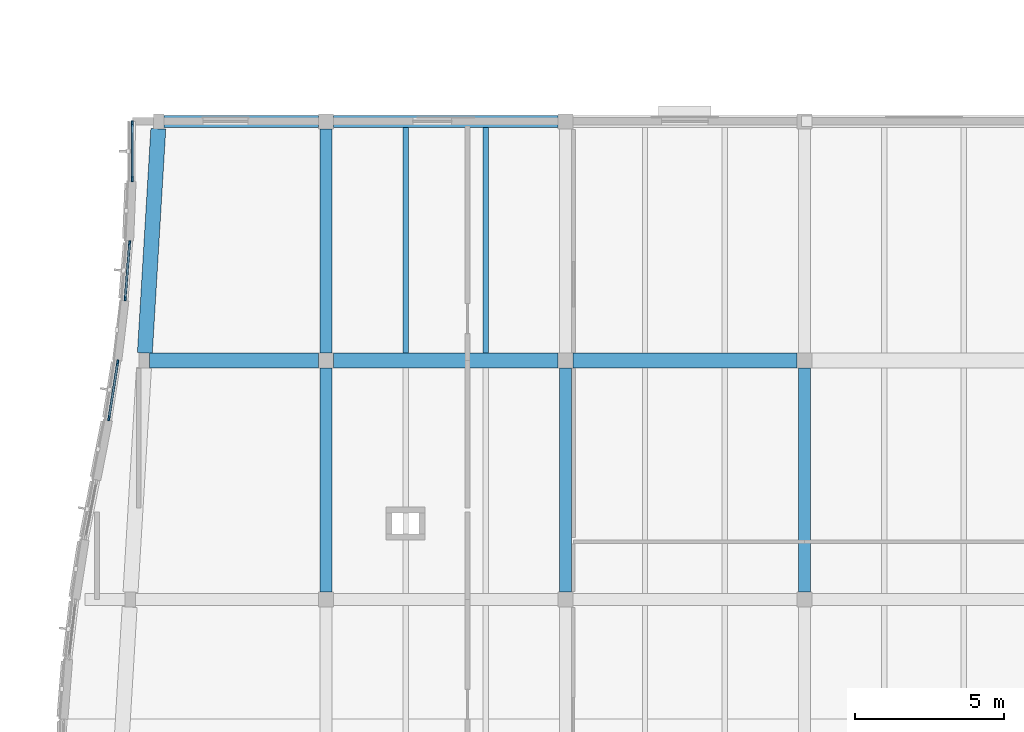
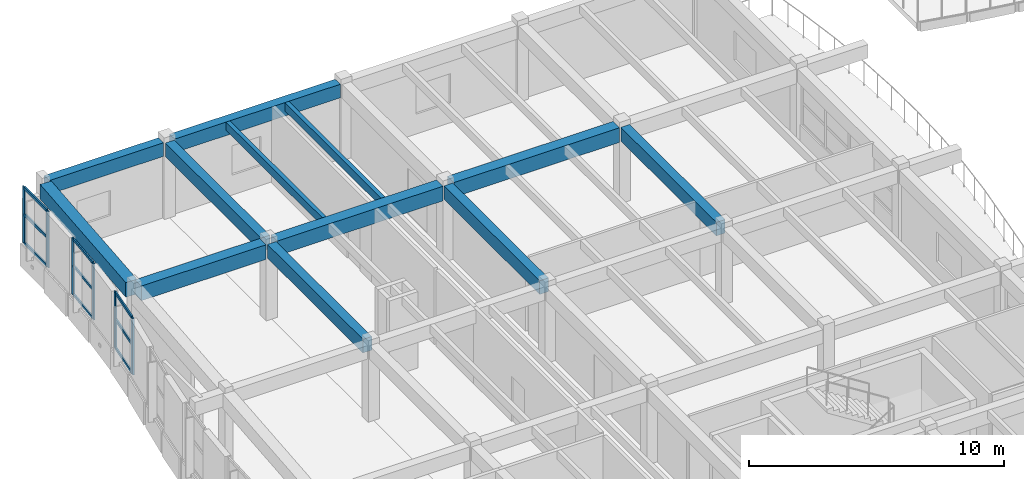
# One storey, part 16 of 89: 15 members, 12 beams, 3 elements without a shape of their own.
"""IFC4 building model written with IfcOpenShell, lengths in metres."""

import ifcopenshell
import ifcopenshell.guid

model = None  # the IFC model being written
_history = None  # IfcOwnerHistory: only IFC2X3 demands one
_inside = {}  # id of a spatial element -> (the spatial element, [elements in it])
_under = {}  # id of a project, library or spatial element -> (it, [spatial elements below it])
_declared = {}  # id of a project -> (the project, [libraries it declares])
_typed = {}  # id of a type object -> (the type object, [elements of that type])
_made_of = {}  # id of a material, layer set ... -> (it, [elements and type objects made of it])


def new_model(schema):
    """Start an empty IFC model of exactly this schema.

    Asked for "IFC4X3", IfcOpenShell would pick the latest addendum, in which some entities
    have other attributes; the version numbers below select the first issue.
    IFC2X3 requires an IfcOwnerHistory on every rooted entity: one is made here for all.
    """
    global model, _history
    if schema == "IFC4X3":
        model = ifcopenshell.file(schema_version=(4, 3, 0, 0))
    else:
        model = ifcopenshell.file(schema=schema)
    _inside.clear()
    _under.clear()
    _declared.clear()
    _typed.clear()
    _made_of.clear()
    _history = None
    if model.schema == "IFC2X3":
        org = make("IfcOrganization", Name="unknown")
        user = make(
            "IfcPersonAndOrganization",
            ThePerson=make("IfcPerson", FamilyName="unknown"),
            TheOrganization=org,
        )
        app = make(
            "IfcApplication",
            ApplicationDeveloper=org,
            Version="unknown",
            ApplicationFullName="unknown",
            ApplicationIdentifier="unknown",
        )
        _history = make(
            "IfcOwnerHistory",
            OwningUser=user,
            OwningApplication=app,
            ChangeAction="ADDED",
            CreationDate=0,
        )
    return model


def make(cls, **values):
    """One entity of the class cls with the attributes given. An attribute that is None is left unset."""
    return model.create_entity(
        cls, **{name: value for name, value in values.items() if value is not None}
    )


def rooted(cls, **values):
    """An entity with a GlobalId (a new one), such as an element, a storey or a relation."""
    return make(cls, GlobalId=ifcopenshell.guid.new(), OwnerHistory=_history, **values)


def si_unit(unit_type, name, prefix=None):
    """IfcSIUnit, for example si_unit("LENGTHUNIT", "METRE", prefix="MILLI")."""
    return make("IfcSIUnit", UnitType=unit_type, Prefix=prefix, Name=name)


def assignment(units):
    """IfcUnitAssignment: the units of a project."""
    return None if units is None else make("IfcUnitAssignment", Units=units)


def point(xyz):
    """IfcCartesianPoint."""
    return None if xyz is None else make("IfcCartesianPoint", Coordinates=xyz)


def direction(xyz):
    """IfcDirection."""
    return None if xyz is None else make("IfcDirection", DirectionRatios=xyz)


def frame(location, z_axis=None, x_axis=None):
    """IfcAxis2Placement3D, a coordinate frame: its origin and axes. An axis left out is left unset."""
    return make(
        "IfcAxis2Placement3D",
        Location=point(location),
        Axis=direction(z_axis),
        RefDirection=direction(x_axis),
    )


def frame_2d(location, x_axis=None):
    """IfcAxis2Placement2D, a coordinate frame in the plane: its origin and x axis."""
    return make(
        "IfcAxis2Placement2D", Location=point(location), RefDirection=direction(x_axis)
    )


def origin():
    """The frame at (0, 0, 0) with its axes left unset."""
    return frame((0.0, 0.0, 0.0))


def origin_2d():
    """The frame at (0, 0) in the plane with its x axis left unset."""
    return frame_2d((0.0, 0.0))


def place(relative_to, where):
    """IfcLocalPlacement: puts the frame where relative to a parent placement (None: the world)."""
    return make(
        "IfcLocalPlacement", PlacementRelTo=relative_to, RelativePlacement=where
    )


def context(
    kind, dimensions, precision=None, world=None, true_north=None, identifier=None
):
    """IfcGeometricRepresentationContext, for example the 3D "Model" context."""
    return make(
        "IfcGeometricRepresentationContext",
        ContextIdentifier=identifier,
        ContextType=kind,
        CoordinateSpaceDimension=dimensions,
        Precision=precision,
        WorldCoordinateSystem=world,
        TrueNorth=true_north,
    )


def subcontext(parent, identifier, kind, view, scale=None):
    """IfcGeometricRepresentationSubContext, for example "Body" below "Model"."""
    return make(
        "IfcGeometricRepresentationSubContext",
        ContextIdentifier=identifier,
        ContextType=kind,
        ParentContext=parent,
        TargetScale=scale,
        TargetView=view,
    )


def project(units=None, contexts=None):
    """IfcProject with its units and contexts."""
    return rooted(
        "IfcProject",
        Name="project",
        RepresentationContexts=contexts,
        UnitsInContext=assignment(units),
    )


def spatial(cls, under=None, at=None, **own):
    """A site, building, storey or space (cls), placed at a placement, below another one or the project."""
    s = rooted(cls, ObjectPlacement=at, **own)
    if under is not None:
        _under.setdefault(under.id(), (under, []))[1].append(s)
    return s


def profile(cls, at=None, kind="AREA", **sizes):
    """A parametric profile (cls). Its sizes go by their IFC names, for example OverallWidth=200.0."""
    return make(cls, ProfileType=kind, Position=at, **sizes)


def rectangle(**sizes):
    """IfcRectangleProfileDef."""
    return profile("IfcRectangleProfileDef", **sizes)


def extrude(swept, where, along, depth):
    """IfcExtrudedAreaSolid: the profile swept, set in the frame where, extruded along a direction by depth."""
    return make(
        "IfcExtrudedAreaSolid",
        SweptArea=swept,
        Position=where,
        ExtrudedDirection=direction(along),
        Depth=depth,
    )


def shape(context_of_items, identifier, shape_type, items):
    """IfcShapeRepresentation: the items that make up one representation, for example the "Body"."""
    return make(
        "IfcShapeRepresentation",
        ContextOfItems=context_of_items,
        RepresentationIdentifier=identifier,
        RepresentationType=shape_type,
        Items=items,
    )


def material(Name=None, Category=None):
    """IfcMaterial."""
    return make("IfcMaterial", Name=Name, Category=Category)


def layer(
    of_material, thickness, ventilated=None, Name=None, Category=None, Priority=None
):
    """IfcMaterialLayer: one layer of a wall or slab, of a material (None: an air gap)."""
    return make(
        "IfcMaterialLayer",
        Material=of_material,
        LayerThickness=thickness,
        IsVentilated=ventilated,
        Name=Name,
        Category=Category,
        Priority=Priority,
    )


def layer_set(layers, Name=None):
    """IfcMaterialLayerSet."""
    return make("IfcMaterialLayerSet", MaterialLayers=layers, LayerSetName=Name)


def material_profile(
    of_material, cross_section, Name=None, Category=None, Priority=None
):
    """IfcMaterialProfile: a cross section and its material."""
    return make(
        "IfcMaterialProfile",
        Name=Name,
        Material=of_material,
        Profile=cross_section,
        Priority=Priority,
        Category=Category,
    )


def profile_set(profiles, Name=None, composite=None):
    """IfcMaterialProfileSet."""
    return make(
        "IfcMaterialProfileSet",
        Name=Name,
        MaterialProfiles=profiles,
        CompositeProfile=composite,
    )


def made_of(thing, what):
    """Note that an element or type object is made of a material, layer set ...; save() writes the relation."""
    if what is not None:
        _made_of.setdefault(what.id(), (what, []))[1].append(thing)
    return thing


def type_object(cls, material=None, **own):
    """A type object (cls), such as IfcWallType, which elements share."""
    return made_of(rooted(cls, **own), material)


def element(
    cls,
    number,
    at=None,
    inside=None,
    cuts=None,
    type_object=None,
    material=None,
    context=None,
    identifier="Body",
    shape_type=None,
    held_by="IfcProductDefinitionShape",
    body=None,
    shapes=None,
    **own,
):
    """One element of the class cls, such as IfcWall. Its Tag is "e" and its number.

    at: its placement. inside: the storey or other place that contains it. cuts: it is an
    opening in that element (IfcRelVoidsElement). A single representation is given by context,
    identifier, shape_type and body (its items); several are given by shapes. held_by: the class
    of the entity that holds the representations. save() writes the other relations.
    """
    e = rooted(cls, Tag="e%d" % number, ObjectPlacement=at, **own)
    if body is not None:
        shapes = [shape(context, identifier, shape_type, body)]
    if shapes is not None:
        e.Representation = make(held_by, Representations=shapes)
    if inside is not None:
        _inside.setdefault(inside.id(), (inside, []))[1].append(e)
    if cuts is not None:
        rooted(
            "IfcRelVoidsElement", RelatingBuildingElement=cuts, RelatedOpeningElement=e
        )
    if type_object is not None:
        _typed.setdefault(type_object.id(), (type_object, []))[1].append(e)
    return made_of(e, material)


def aggregate(whole, parts):
    """IfcRelAggregates: a whole, such as a stair, and the parts it consists of."""
    return rooted("IfcRelAggregates", RelatingObject=whole, RelatedObjects=parts)


def save(model, path):
    """Write the relations noted so far, then the file.

    IfcRelAggregates (storeys below a building ...), IfcRelContainedInSpatialStructure (elements
    in a storey), IfcRelDefinesByType, IfcRelAssociatesMaterial and IfcRelDeclares: one each for
    every whole, place, type object, material and project.
    """
    for whole, parts in _under.values():
        aggregate(whole, parts)
    for where, things in _inside.values():
        rooted(
            "IfcRelContainedInSpatialStructure",
            RelatedElements=things,
            RelatingStructure=where,
        )
    for kind, things in _typed.values():
        rooted("IfcRelDefinesByType", RelatedObjects=things, RelatingType=kind)
    for what, things in _made_of.values():
        rooted("IfcRelAssociatesMaterial", RelatedObjects=things, RelatingMaterial=what)
    for by, libraries in _declared.values():
        rooted("IfcRelDeclares", RelatingContext=by, RelatedDefinitions=libraries)
    model.write(path)


model = new_model("IFC4")

# Units and contexts
model_context = context("Model", 3, precision=1e-05, world=origin(), true_north=direction((0.0, 1.0)))
body_context = subcontext(model_context, "Body", "Model", "MODEL_VIEW")
ifc_project = project(units=[si_unit("LENGTHUNIT", "METRE"), si_unit("AREAUNIT", "SQUARE_METRE"), si_unit("VOLUMEUNIT", "CUBIC_METRE"), si_unit("PLANEANGLEUNIT", "RADIAN"), si_unit("MASSUNIT", "GRAM", prefix="KILO")], contexts=[model_context])

# Site, building, storey
site_placement = place(None, origin())
site = spatial("IfcSite", under=ifc_project, at=site_placement, CompositionType="ELEMENT")
building_placement = place(site_placement, origin())
building = spatial("IfcBuilding", under=site, at=building_placement, Name="Tonlespit Floodbar School", CompositionType="ELEMENT")
storey_placement = place(building_placement, frame((0.0, 0.0, 4.5)))
storey = spatial("IfcBuildingStorey", under=building, at=storey_placement, Name="L01", CompositionType="ELEMENT", Elevation=4.5)

# Beams
ifc_material_1 = material(Name="Concrete C40/50", Category="concrete")
ifc_material_profile_1 = material_profile(ifc_material_1, rectangle(XDim=0.39990234375, YDim=0.64990234375, at=origin_2d()), Name="RC 400x650")
ifc_profile_set_1 = profile_set([ifc_material_profile_1], Name="Concrete C40/50")
beam_type_1 = type_object("IfcBeamType", Name="Beam_RC_400x650", PredefinedType="BEAM", material=ifc_profile_set_1)
beam_1_placement = place(storey_placement, frame((6.574951171875, 96.0, 3.324951171875), z_axis=(1.0, 0.0, 0.0), x_axis=(0.0, 1.0, 0.0)))
element("IfcBeam", 1, at=beam_1_placement, inside=storey, type_object=beam_type_1, Name="L01 girder 0612", PredefinedType="BEAM", context=body_context, shape_type="SweptSolid", body=[
    extrude(rectangle(XDim=0.39990234375, YDim=0.64990234375, at=origin_2d()), origin(), (0.0, 0.0, 1.0), 5.175048828125),
])
for number, where, z_axis, x_axis, name in (
    (2, (12.25, 96.0, 3.324951171875), (1.0, 0.0, 0.0), (0.0, 1.0, 0.0), "L01 girder 0613"),
    (3, (12.0, 80.25, 3.324951171875), (0.0, 1.0, 0.0), (-1.0, 0.0, 0.0), "L01 girder 0685"),
    (4, (12.0, 88.25, 3.324951171875), (0.0, 1.0, 0.0), (-1.0, 0.0, 0.0), "L01 girder 0686"),
    (5, (20.0, 80.25, 3.324951171875), (0.0, 1.0, 0.0), (-1.0, 0.0, 0.0), "L01 girder 0698"),
    (6, (28.0, 80.25, 3.324951171875), (0.0, 1.0, 0.0), (-1.0, 0.0, 0.0), "L01 girder 0710"),
):
    element("IfcBeam", number, at=place(storey_placement, frame(where, z_axis=z_axis, x_axis=x_axis)), inside=storey, type_object=beam_type_1, Name=name, PredefinedType="BEAM", context=body_context, shape_type="SweptSolid", body=[
        extrude(rectangle(XDim=0.39990234375, YDim=0.64990234375, at=origin_2d()), origin(), (0.0, 0.0, 1.0), 7.5),
    ])

# Curtain wall, members
ifc_material_2 = material(Name="Anodised Aluminium", Category="aluminium")
ifc_layer_1 = layer(ifc_material_2, 0.159912109375)
ifc_layer_set_1 = layer_set([ifc_layer_1], Name="Anodised Aluminium")
curtain_wall_type_1 = type_object("IfcCurtainWallType", Name="CurtainWall_1950x2700", PredefinedType="NOTDEFINED", material=ifc_layer_set_1)
curtain_wall_1_placement = place(storey_placement, origin())
curtain_wall_1 = element("IfcCurtainWall", 7, at=curtain_wall_1_placement, inside=storey, type_object=curtain_wall_type_1, Name="L01 unitised curtain wall 0280", PredefinedType="NOTDEFINED")
ifc_material_profile_2 = material_profile(ifc_material_2, rectangle(XDim=0.06494140625, YDim=0.14990234375, at=origin_2d()), Name="ALU M65x150")
ifc_profile_set_2 = profile_set([ifc_material_profile_2], Name="Anodised Aluminium")
member_type_1 = type_object("IfcMemberType", Name="CW_Mullion_65x150", PredefinedType="MULLION", material=ifc_profile_set_2)
member_1_placement = place(storey_placement, frame((5.2763671875, 90.072265625, 0.949951171875), z_axis=(0.0, 0.0, 1.0), x_axis=(-0.996877534245, 0.078963166836, 0.0)))
member_1 = element("IfcMember", 8, at=member_1_placement, type_object=member_type_1, Name="CW-04 mullion 1", PredefinedType="MULLION", context=body_context, shape_type="SweptSolid", body=[
    extrude(rectangle(XDim=0.06494140625, YDim=0.14990234375, at=origin_2d()), origin(), (0.0, 0.0, 1.0), 2.699951171875),
])
member_2_placement = place(storey_placement, frame((5.42333984375, 91.927734375, 0.949951171875), z_axis=(0.0, 0.0, 1.0), x_axis=(-0.996877534245, 0.078963166836, 0.0)))
member_2 = element("IfcMember", 9, at=member_2_placement, type_object=member_type_1, Name="CW-04 mullion 2", PredefinedType="MULLION", context=body_context, shape_type="SweptSolid", body=[
    extrude(rectangle(XDim=0.06494140625, YDim=0.14990234375, at=origin_2d()), origin(), (0.0, 0.0, 1.0), 2.699951171875),
])

curtain_wall_2_placement = place(storey_placement, origin())
curtain_wall_2 = element("IfcCurtainWall", 10, at=curtain_wall_2_placement, inside=storey, type_object=curtain_wall_type_1, Name="L01 unitised curtain wall 0279", PredefinedType="NOTDEFINED")
ifc_material_profile_3 = material_profile(ifc_material_2, rectangle(XDim=0.06494140625, YDim=0.179931640625, at=origin_2d()), Name="ALU M65x180")
ifc_profile_set_3 = profile_set([ifc_material_profile_3], Name="Anodised Aluminium")
member_type_2 = type_object("IfcMemberType", Name="CW_Mullion_65x180", PredefinedType="MULLION", material=ifc_profile_set_3)
member_3_placement = place(storey_placement, frame((4.73291015625, 86.071533203125, 0.949951171875), z_axis=(0.0, 0.0, 1.0), x_axis=(-0.987961482869, 0.154700059367, 0.0)))
member_3 = element("IfcMember", 11, at=member_3_placement, type_object=member_type_2, Name="CW-04 mullion 1", PredefinedType="MULLION", context=body_context, shape_type="SweptSolid", body=[
    extrude(rectangle(XDim=0.06494140625, YDim=0.179931640625, at=origin_2d()), origin(), (0.0, 0.0, 1.0), 2.699951171875),
])
member_4_placement = place(storey_placement, frame((5.023681640625, 87.928466796875, 0.949951171875), z_axis=(0.0, 0.0, 1.0), x_axis=(-0.987961482869, 0.154700059367, 0.0)))
member_4 = element("IfcMember", 12, at=member_4_placement, type_object=member_type_2, Name="CW-04 mullion 2", PredefinedType="MULLION", context=body_context, shape_type="SweptSolid", body=[
    extrude(rectangle(XDim=0.06494140625, YDim=0.179931640625, at=origin_2d()), origin(), (0.0, 0.0, 1.0), 2.699951171875),
])

ifc_layer_2 = layer(ifc_material_2, 0.159912109375)
ifc_layer_set_2 = layer_set([ifc_layer_2], Name="Anodised Aluminium")
curtain_wall_type_2 = type_object("IfcCurtainWallType", Name="CurtainWall_1900x2700", PredefinedType="NOTDEFINED", material=ifc_layer_set_2)
curtain_wall_3_placement = place(storey_placement, origin())
curtain_wall_3 = element("IfcCurtainWall", 13, at=curtain_wall_3_placement, inside=storey, type_object=curtain_wall_type_2, Name="L01 unitised curtain wall 0281", PredefinedType="NOTDEFINED")
member_5_placement = place(storey_placement, frame((5.5107421875, 94.072509765625, 0.949951171875), z_axis=(0.0, 0.0, 1.0), x_axis=(-0.99999760743, 0.00218749477, 0.0)))
member_5 = element("IfcMember", 14, at=member_5_placement, type_object=member_type_2, Name="CW-05 mullion 1", PredefinedType="MULLION", context=body_context, shape_type="SweptSolid", body=[
    extrude(rectangle(XDim=0.06494140625, YDim=0.179931640625, at=origin_2d()), origin(), (0.0, 0.0, 1.0), 2.699951171875),
])
member_6_placement = place(storey_placement, frame((5.514892578125, 95.927490234375, 0.949951171875), z_axis=(0.0, 0.0, 1.0), x_axis=(-0.99999760743, 0.00218749477, 0.0)))
member_6 = element("IfcMember", 15, at=member_6_placement, type_object=member_type_2, Name="CW-05 mullion 2", PredefinedType="MULLION", context=body_context, shape_type="SweptSolid", body=[
    extrude(rectangle(XDim=0.06494140625, YDim=0.179931640625, at=origin_2d()), origin(), (0.0, 0.0, 1.0), 2.699951171875),
])

# Member
ifc_material_profile_4 = material_profile(ifc_material_2, rectangle(XDim=0.06494140625, YDim=0.1201171875, at=origin_2d()), Name="ALU T65x120")
ifc_profile_set_4 = profile_set([ifc_material_profile_4], Name="Anodised Aluminium")
member_type_3 = type_object("IfcMemberType", Name="CW_Transom_65x120", PredefinedType="USERDEFINED", material=ifc_profile_set_4)
member_7_placement = place(storey_placement, frame((5.279052734375, 90.104736328125, 0.982421875), z_axis=(0.0788375696, 0.996887474904, 0.0), x_axis=(-0.996887474904, 0.0788375696, 0.0)))
member_7 = element("IfcMember", 16, at=member_7_placement, type_object=member_type_3, Name="CW-04 transom 1.1", ObjectType="TRANSOM", PredefinedType="USERDEFINED", context=body_context, shape_type="SweptSolid", body=[
    extrude(rectangle(XDim=0.06494140625, YDim=0.1201171875, at=origin_2d()), origin(), (0.0, 0.0, 1.0), 1.796142578125),
])

member_8_placement = place(storey_placement, frame((5.279052734375, 90.104736328125, 2.35400390625), z_axis=(0.0788375696, 0.996887474904, 0.0), x_axis=(-0.996887474904, 0.0788375696, 0.0)))
member_8 = element("IfcMember", 17, at=member_8_placement, type_object=member_type_3, Name="CW-04 transom 1.2", ObjectType="TRANSOM", PredefinedType="USERDEFINED", context=body_context, shape_type="SweptSolid", body=[
    extrude(rectangle(XDim=0.06494140625, YDim=0.1201171875, at=origin_2d()), origin(), (0.0, 0.0, 1.0), 1.796142578125),
])

member_9_placement = place(storey_placement, frame((5.279052734375, 90.104736328125, 3.617431640625), z_axis=(0.0788375696, 0.996887474904, 0.0), x_axis=(-0.996887474904, 0.0788375696, 0.0)))
member_9 = element("IfcMember", 18, at=member_9_placement, type_object=member_type_3, Name="CW-04 transom 1.3", ObjectType="TRANSOM", PredefinedType="USERDEFINED", context=body_context, shape_type="SweptSolid", body=[
    extrude(rectangle(XDim=0.06494140625, YDim=0.1201171875, at=origin_2d()), origin(), (0.0, 0.0, 1.0), 1.796142578125),
])

aggregate(curtain_wall_1, [member_1, member_2, member_7, member_8, member_9])

ifc_material_profile_5 = material_profile(ifc_material_2, rectangle(XDim=0.06494140625, YDim=0.139892578125, at=origin_2d()), Name="ALU T65x140")
ifc_profile_set_5 = profile_set([ifc_material_profile_5], Name="Anodised Aluminium")
member_type_4 = type_object("IfcMemberType", Name="CW_Transom_65x140", PredefinedType="USERDEFINED", material=ifc_profile_set_5)
member_10_placement = place(storey_placement, frame((4.738037109375, 86.103759765625, 0.982421875), z_axis=(0.154746305682, 0.987954240275, 0.0), x_axis=(-0.987954240275, 0.154746305682, 0.0)))
member_10 = element("IfcMember", 19, at=member_10_placement, type_object=member_type_4, Name="CW-04 transom 1.1", ObjectType="TRANSOM", PredefinedType="USERDEFINED", context=body_context, shape_type="SweptSolid", body=[
    extrude(rectangle(XDim=0.06494140625, YDim=0.139892578125, at=origin_2d()), origin(), (0.0, 0.0, 1.0), 1.814453125),
])

member_11_placement = place(storey_placement, frame((4.738037109375, 86.103759765625, 2.35400390625), z_axis=(0.154746305682, 0.987954240275, 0.0), x_axis=(-0.987954240275, 0.154746305682, 0.0)))
member_11 = element("IfcMember", 20, at=member_11_placement, type_object=member_type_4, Name="CW-04 transom 1.2", ObjectType="TRANSOM", PredefinedType="USERDEFINED", context=body_context, shape_type="SweptSolid", body=[
    extrude(rectangle(XDim=0.06494140625, YDim=0.139892578125, at=origin_2d()), origin(), (0.0, 0.0, 1.0), 1.814453125),
])

member_12_placement = place(storey_placement, frame((4.738037109375, 86.103759765625, 3.617431640625), z_axis=(0.154746305682, 0.987954240275, 0.0), x_axis=(-0.987954240275, 0.154746305682, 0.0)))
member_12 = element("IfcMember", 21, at=member_12_placement, type_object=member_type_4, Name="CW-04 transom 1.3", ObjectType="TRANSOM", PredefinedType="USERDEFINED", context=body_context, shape_type="SweptSolid", body=[
    extrude(rectangle(XDim=0.06494140625, YDim=0.139892578125, at=origin_2d()), origin(), (0.0, 0.0, 1.0), 1.814453125),
])

aggregate(curtain_wall_2, [member_3, member_4, member_10, member_11, member_12])

member_13_placement = place(storey_placement, frame((5.5107421875, 94.10498046875, 0.982421875), z_axis=(0.002182209752, 0.999997618977, 0.0), x_axis=(-0.999997618977, 0.002182209752, 0.0)))
member_13 = element("IfcMember", 22, at=member_13_placement, type_object=member_type_4, Name="CW-05 transom 1.1", ObjectType="TRANSOM", PredefinedType="USERDEFINED", context=body_context, shape_type="SweptSolid", body=[
    extrude(rectangle(XDim=0.06494140625, YDim=0.139892578125, at=origin_2d()), origin(), (0.0, 0.0, 1.0), 1.7900390625),
])

member_14_placement = place(storey_placement, frame((5.5107421875, 94.10498046875, 2.35400390625), z_axis=(0.002182209752, 0.999997618977, 0.0), x_axis=(-0.999997618977, 0.002182209752, 0.0)))
member_14 = element("IfcMember", 23, at=member_14_placement, type_object=member_type_4, Name="CW-05 transom 1.2", ObjectType="TRANSOM", PredefinedType="USERDEFINED", context=body_context, shape_type="SweptSolid", body=[
    extrude(rectangle(XDim=0.06494140625, YDim=0.139892578125, at=origin_2d()), origin(), (0.0, 0.0, 1.0), 1.7900390625),
])

member_15_placement = place(storey_placement, frame((5.5107421875, 94.10498046875, 3.617431640625), z_axis=(0.002182209752, 0.999997618977, 0.0), x_axis=(-0.999997618977, 0.002182209752, 0.0)))
member_15 = element("IfcMember", 24, at=member_15_placement, type_object=member_type_4, Name="CW-05 transom 1.3", ObjectType="TRANSOM", PredefinedType="USERDEFINED", context=body_context, shape_type="SweptSolid", body=[
    extrude(rectangle(XDim=0.06494140625, YDim=0.139892578125, at=origin_2d()), origin(), (0.0, 0.0, 1.0), 1.7900390625),
])

aggregate(curtain_wall_3, [member_5, member_6, member_13, member_14, member_15])

# Beams
ifc_material_3 = material(Name="Glulam GL28h", Category="wood")
ifc_material_profile_6 = material_profile(ifc_material_3, rectangle(XDim=0.179931640625, YDim=0.39990234375, at=origin_2d()), Name="GL 180x400")
ifc_profile_set_6 = profile_set([ifc_material_profile_6], Name="Glulam GL28h")
beam_type_2 = type_object("IfcBeamType", Name="Joist_GL_180x400", PredefinedType="JOIST", material=ifc_profile_set_6)
for number, where, z_axis, x_axis, name in (
    (25, (14.666748046875, 88.25, 3.449951171875), (0.0, 1.0, 0.0), (-1.0, 0.0, 0.0), "L01 secondary joist 0857"),
    (26, (17.333251953125, 88.25, 3.449951171875), (0.0, 1.0, 0.0), (-1.0, 0.0, 0.0), "L01 secondary joist 0858"),
):
    element("IfcBeam", number, at=place(storey_placement, frame(where, z_axis=z_axis, x_axis=x_axis)), inside=storey, type_object=beam_type_2, Name=name, PredefinedType="JOIST", context=body_context, shape_type="SweptSolid", body=[
        extrude(rectangle(XDim=0.179931640625, YDim=0.39990234375, at=origin_2d()), origin(), (0.0, 0.0, 1.0), 7.550048828125),
    ])
ifc_material_profile_7 = material_profile(ifc_material_1, rectangle(XDim=0.5, YDim=0.699951171875, at=origin_2d()), Name="RC 500x700")
ifc_profile_set_7 = profile_set([ifc_material_profile_7], Name="Concrete C40/50")
beam_type_3 = type_object("IfcBeamType", Name="Spandrel_RC_500x700", PredefinedType="SPANDREL", material=ifc_profile_set_7)
beam_2_placement = place(storey_placement, frame((6.094970703125, 88.0, 3.300048828125), z_axis=(1.0, 0.0, 0.0), x_axis=(0.0, 1.0, 0.0)))
element("IfcBeam", 27, at=beam_2_placement, inside=storey, type_object=beam_type_3, Name="L01 girder 0604", PredefinedType="SPANDREL", context=body_context, shape_type="SweptSolid", body=[
    extrude(rectangle(XDim=0.5, YDim=0.699951171875, at=origin_2d()), origin(), (0.0, 0.0, 1.0), 5.655029296875),
])
for number, where, z_axis, x_axis, name in (
    (28, (12.25, 88.0, 3.300048828125), (1.0, 0.0, 0.0), (0.0, 1.0, 0.0), "L01 girder 0605"),
    (29, (20.25, 88.0, 3.300048828125), (1.0, 0.0, 0.0), (0.0, 1.0, 0.0), "L01 girder 0606"),
):
    element("IfcBeam", number, at=place(storey_placement, frame(where, z_axis=z_axis, x_axis=x_axis)), inside=storey, type_object=beam_type_3, Name=name, PredefinedType="SPANDREL", context=body_context, shape_type="SweptSolid", body=[
        extrude(rectangle(XDim=0.5, YDim=0.699951171875, at=origin_2d()), origin(), (0.0, 0.0, 1.0), 7.5),
    ])
beam_3_placement = place(storey_placement, frame((5.93505859375, 88.24951171875, 3.300048828125), z_axis=(0.059878046645, 0.998205700009, 0.0), x_axis=(-0.998205700009, 0.059878046645, 0.0)))
element("IfcBeam", 30, at=beam_3_placement, inside=storey, type_object=beam_type_3, Name="L01 splayed edge spandrel 0793", PredefinedType="SPANDREL", context=body_context, shape_type="SweptSolid", body=[
    extrude(rectangle(XDim=0.5, YDim=0.699951171875, at=origin_2d()), origin(), (0.0, 0.0, 1.0), 7.514404296875),
])

save(model, "model.ifc")
